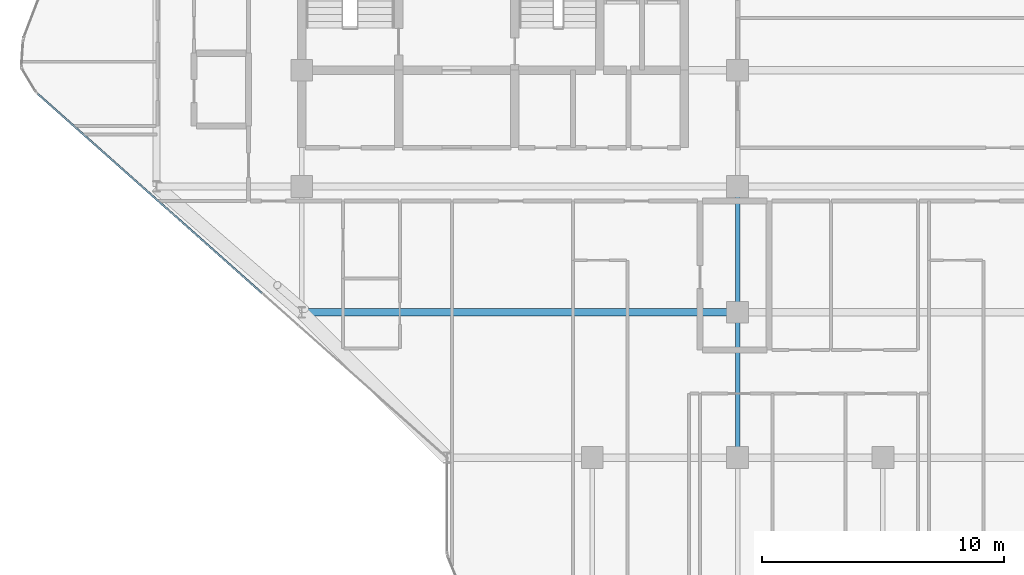
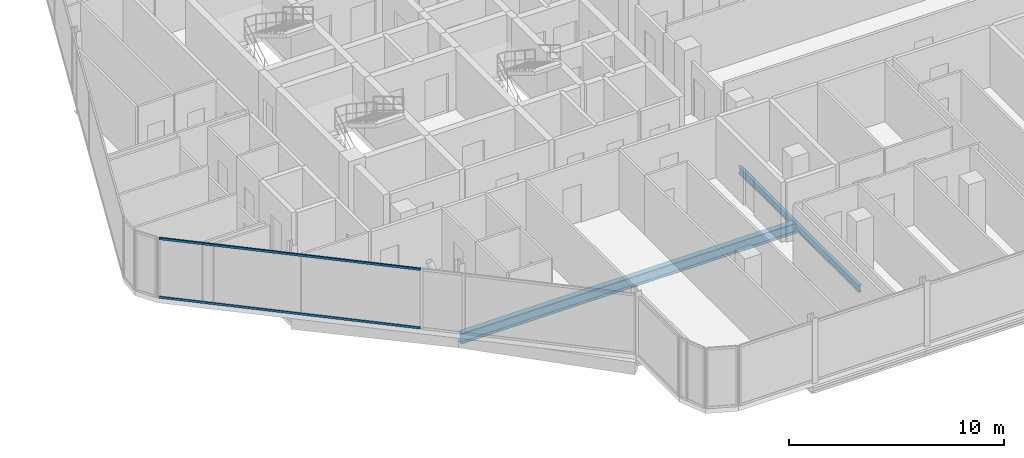
# One storey, part 7 of 29: 3 beams, 2 members, 1 element without a shape of its own.
"""IFC4 building model written with IfcOpenShell, lengths in metres."""

from ifc_helpers import new_model, si_unit, direction, frame, origin, origin_2d, place, context, subcontext, project, spatial, hollow_rectangle, i_section, extrude, material, layer, layer_set, material_profile, profile_set, type_object, element, aggregate, save


model = new_model("IFC4")

# Units and contexts
model_context = context("Model", 3, precision=1e-05, world=origin(), true_north=direction((0.0, 1.0)))
body_context = subcontext(model_context, "Body", "Model", "MODEL_VIEW")
ifc_project = project(units=[si_unit("LENGTHUNIT", "METRE"), si_unit("AREAUNIT", "SQUARE_METRE"), si_unit("VOLUMEUNIT", "CUBIC_METRE"), si_unit("PLANEANGLEUNIT", "RADIAN"), si_unit("MASSUNIT", "GRAM", prefix="KILO")], contexts=[model_context])

# Site, building, storey
site_placement = place(None, origin())
site = spatial("IfcSite", under=ifc_project, at=site_placement, CompositionType="ELEMENT")
building_placement = place(site_placement, origin())
building = spatial("IfcBuilding", under=site, at=building_placement, Name="Keshet Zoharim Tower", CompositionType="ELEMENT")
storey_placement = place(building_placement, frame((0.0, 0.0, 192.10009765625)))
storey = spatial("IfcBuildingStorey", under=building, at=storey_placement, Name="L47", CompositionType="ELEMENT", Elevation=192.10009765625)

# Beams
ifc_material_1 = material(Name="Steel S355", Category="steel")
ifc_material_profile_1 = material_profile(ifc_material_1, i_section(OverallWidth=0.300048828125, OverallDepth=0.60009765625, WebThickness=0.015380859375, FlangeThickness=0.030029296875, FilletRadius=0.027099609375, at=origin_2d()), Name="HEB600")
ifc_profile_set_1 = profile_set([ifc_material_profile_1], Name="Steel S355")
beam_type_1 = type_object("IfcBeamType", Name="BM-LNG-HB600", PredefinedType="BEAM", material=ifc_profile_set_1)
beam_1_placement = place(storey_placement, frame((15.0, 12.699951171875, -0.610107421875), z_axis=(1.0, 0.0, 0.0), x_axis=(0.0, 1.0, 0.0)))
element("IfcBeam", 1, at=beam_1_placement, inside=storey, type_object=beam_type_1, Name="L47 Primary Girder X-009", PredefinedType="BEAM", context=body_context, shape_type="SweptSolid", body=[
    extrude(i_section(OverallWidth=0.300048828125, OverallDepth=0.60009765625, WebThickness=0.015380859375, FlangeThickness=0.030029296875, FilletRadius=0.027099609375, at=origin_2d()), origin(), (0.0, 0.0, 1.0), 18.0),
])
ifc_material_profile_2 = material_profile(ifc_material_1, i_section(OverallWidth=0.179931640625, OverallDepth=0.39990234375, WebThickness=0.008544921875, FlangeThickness=0.013427734375, FilletRadius=0.02099609375, at=origin_2d()), Name="IPE400")
ifc_profile_set_2 = profile_set([ifc_material_profile_2], Name="Steel S355")
beam_type_2 = type_object("IfcBeamType", Name="BM-PRI-IP400", PredefinedType="BEAM", material=ifc_profile_set_2)
beam_2_placement = place(storey_placement, frame((33.0, 6.699951171875, -0.510009765625), z_axis=(0.0, 1.0, 0.0), x_axis=(-1.0, 0.0, 0.0)))
element("IfcBeam", 2, at=beam_2_placement, inside=storey, type_object=beam_type_2, Name="L47 Primary Girder Y-006", PredefinedType="BEAM", context=body_context, shape_type="SweptSolid", body=[
    extrude(i_section(OverallWidth=0.179931640625, OverallDepth=0.39990234375, WebThickness=0.008544921875, FlangeThickness=0.013427734375, FilletRadius=0.02099609375, at=origin_2d()), origin(), (0.0, 0.0, 1.0), 6.0),
])
beam_3_placement = place(storey_placement, frame((33.0, 12.699951171875, -0.510009765625), z_axis=(0.0, 1.0, 0.0), x_axis=(-1.0, 0.0, 0.0)))
element("IfcBeam", 3, at=beam_3_placement, inside=storey, type_object=beam_type_2, Name="L47 Primary Girder Y-007", PredefinedType="BEAM", context=body_context, shape_type="SweptSolid", body=[
    extrude(i_section(OverallWidth=0.179931640625, OverallDepth=0.39990234375, WebThickness=0.008544921875, FlangeThickness=0.013427734375, FilletRadius=0.02099609375, at=origin_2d()), origin(), (0.0, 0.0, 1.0), 5.199951171875),
])

# Curtain wall, members
ifc_material_2 = material(Name="Aluminium 6063-T6", Category="aluminium")
ifc_layer = layer(ifc_material_2, 0.139892578125)
ifc_layer_set = layer_set([ifc_layer], Name="Aluminium 6063-T6")
curtain_wall_type = type_object("IfcCurtainWallType", Name="CW-SYS-05", PredefinedType="NOTDEFINED", material=ifc_layer_set)
curtain_wall_placement = place(storey_placement, origin())
curtain_wall = element("IfcCurtainWall", 4, at=curtain_wall_placement, inside=storey, type_object=curtain_wall_type, Name="L47 Unitised Curtain Wall 10 Part 3", PredefinedType="NOTDEFINED")
ifc_material_profile_3 = material_profile(ifc_material_2, hollow_rectangle(XDim=0.074951171875, YDim=0.1201171875, WallThickness=0.00390625, at=origin_2d()), Name="TRN-75x120")
ifc_profile_set_3 = profile_set([ifc_material_profile_3], Name="Aluminium 6063-T6")
member_type = type_object("IfcMemberType", Name="CWT-T12", PredefinedType="USERDEFINED", material=ifc_profile_set_3)
member_1_placement = place(storey_placement, frame((13.3623046875, 13.489013671875, 0.034912109375), z_axis=(-0.747408233231, 0.664365059962, 0.0), x_axis=(-0.664365059962, -0.747408233231, 0.0)))
member_1 = element("IfcMember", 5, at=member_1_placement, type_object=member_type, Name="CW-05 transom 1.1", ObjectType="TRANSOM", PredefinedType="USERDEFINED", context=body_context, shape_type="SweptSolid", body=[
    extrude(hollow_rectangle(XDim=0.074951171875, YDim=0.1201171875, WallThickness=0.00390625, at=origin_2d()), origin(), (0.0, 0.0, 1.0), 12.409423828125),
])
member_2_placement = place(storey_placement, frame((13.3623046875, 13.489013671875, 3.35498046875), z_axis=(-0.747408233231, 0.664365059962, 0.0), x_axis=(-0.664365059962, -0.747408233231, 0.0)))
member_2 = element("IfcMember", 6, at=member_2_placement, type_object=member_type, Name="CW-05 transom 1.2", ObjectType="TRANSOM", PredefinedType="USERDEFINED", context=body_context, shape_type="SweptSolid", body=[
    extrude(hollow_rectangle(XDim=0.074951171875, YDim=0.1201171875, WallThickness=0.00390625, at=origin_2d()), origin(), (0.0, 0.0, 1.0), 12.409423828125),
])
aggregate(curtain_wall, [member_1, member_2])

save(model, "model.ifc")
